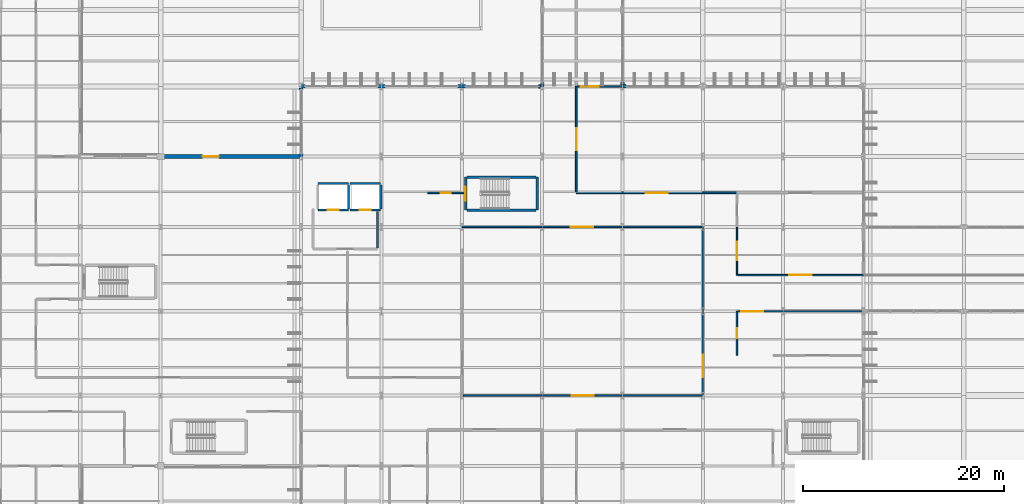
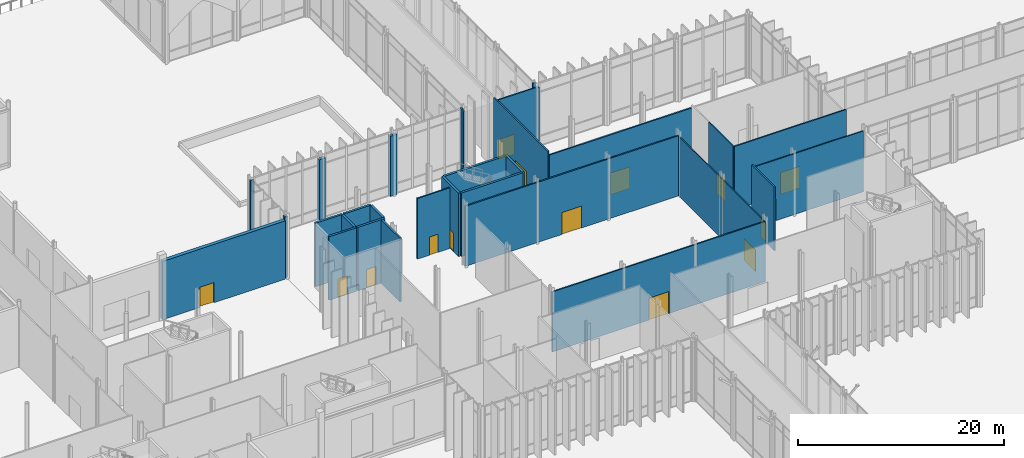
# One storey, part 140 of 176: 34 walls, 15 doors, 15 openings.
"""IFC4 building model written with IfcOpenShell, lengths in metres."""

from ifc_helpers import new_model, si_unit, direction, frame, frame_2d, origin, place, context, subcontext, project, spatial, rectangle, extrude, material, layer, layer_set, type_object, element, fill, save


model = new_model("IFC4")

# Units and contexts
model_context = context("Model", 3, precision=1e-05, world=origin(), true_north=direction((0.0, 1.0)))
body_context = subcontext(model_context, "Body", "Model", "MODEL_VIEW")
ifc_project = project(units=[si_unit("LENGTHUNIT", "METRE"), si_unit("AREAUNIT", "SQUARE_METRE"), si_unit("VOLUMEUNIT", "CUBIC_METRE"), si_unit("PLANEANGLEUNIT", "RADIAN"), si_unit("MASSUNIT", "GRAM", prefix="KILO")], contexts=[model_context])

# Site, building, storey
site_placement = place(None, origin())
site = spatial("IfcSite", under=ifc_project, at=site_placement, CompositionType="ELEMENT")
building_placement = place(site_placement, origin())
building = spatial("IfcBuilding", under=site, at=building_placement, Name="Vekula Escarpment Museum", CompositionType="ELEMENT")
storey_placement = place(building_placement, origin())
storey = spatial("IfcBuildingStorey", under=building, at=storey_placement, Name="L01", CompositionType="ELEMENT", Elevation=0.0)

# Walls
ifc_material_1 = material(Name="Inkisi arkosic sandstone masonry", Category="masonry")
ifc_layer_1 = layer(ifc_material_1, 0.35009765625)
ifc_layer_set_1 = layer_set([ifc_layer_1], Name="Inkisi arkosic sandstone masonry")
wall_type_1 = type_object("IfcWallType", Name="WL-ALM-350", PredefinedType="SOLIDWALL", material=ifc_layer_set_1)
wall_1_placement = place(storey_placement, frame((102.360107421875, 90.39990234375, 0.0), z_axis=(0.0, 0.0, 1.0), x_axis=(-1.0, 0.0, 0.0)))
element("IfcWall", 1, at=wall_1_placement, inside=storey, type_object=wall_type_1, Name="Facade Jamb Pier L01-0165B", PredefinedType="SOLIDWALL", context=body_context, shape_type="SweptSolid", body=[
    extrude(rectangle(XDim=0.360107421875, YDim=0.35009765625, at=frame_2d((0.18017578125, 0.0))), origin(), (0.0, 0.0, 1.0), 7.135009765625),
])
wall_2_placement = place(storey_placement, frame((102.0, 90.5791015625, 0.0), z_axis=(0.0, 0.0, 1.0), x_axis=(0.0, 1.0, 0.0)))
element("IfcWall", 2, at=wall_2_placement, inside=storey, type_object=wall_type_1, Name="Facade Jamb Pier L01-0166A", PredefinedType="SOLIDWALL", context=body_context, shape_type="SweptSolid", body=[
    extrude(rectangle(XDim=0.180908203125, YDim=0.35009765625, at=frame_2d((0.09033203125, 0.0))), origin(), (0.0, 0.0, 1.0), 7.5400390625),
])
wall_3_placement = place(storey_placement, frame((94.0, 90.760009765625, 0.0), z_axis=(0.0, 0.0, 1.0), x_axis=(0.0, -1.0, 0.0)))
element("IfcWall", 3, at=wall_3_placement, inside=storey, type_object=wall_type_1, Name="Facade Jamb Pier L01-0199B", PredefinedType="SOLIDWALL", context=body_context, shape_type="SweptSolid", body=[
    extrude(rectangle(XDim=0.360107421875, YDim=0.35009765625, at=frame_2d((0.18017578125, 0.0))), origin(), (0.0, 0.0, 1.0), 7.02490234375),
])
wall_4_placement = place(storey_placement, frame((93.821044921875, 90.39990234375, 0.0), z_axis=(0.0, 0.0, 1.0), x_axis=(-1.0, 0.0, 0.0)))
element("IfcWall", 4, at=wall_4_placement, inside=storey, type_object=wall_type_1, Name="Facade Jamb Pier L01-0200A", PredefinedType="SOLIDWALL", context=body_context, shape_type="SweptSolid", body=[
    extrude(rectangle(XDim=0.18115234375, YDim=0.35009765625, at=frame_2d((0.090576171875, 0.0))), origin(), (0.0, 0.0, 1.0), 7.5400390625),
])
for number, where, z_axis, x_axis, name in (
    (5, (86.360107421875, 90.39990234375, 0.0), (0.0, 0.0, 1.0), (-1.0, 0.0, 0.0), "Facade Jamb Pier L01-0201B"),
    (6, (86.0, 90.39990234375, 0.0), (0.0, 0.0, 1.0), (-1.0, 0.0, 0.0), "Facade Jamb Pier L01-0202A"),
    (7, (78.360107421875, 90.39990234375, 0.0), (0.0, 0.0, 1.0), (-1.0, 0.0, 0.0), "Facade Jamb Pier L01-0203B"),
    (8, (78.0, 90.39990234375, 0.0), (0.0, 0.0, 1.0), (-1.0, 0.0, 0.0), "Facade Jamb Pier L01-0204A"),
    (9, (70.360107421875, 90.39990234375, 0.0), (0.0, 0.0, 1.0), (-1.0, 0.0, 0.0), "Facade Jamb Pier L01-0205B"),
):
    element("IfcWall", number, at=place(storey_placement, frame(where, z_axis=z_axis, x_axis=x_axis)), inside=storey, type_object=wall_type_1, Name=name, PredefinedType="SOLIDWALL", context=body_context, shape_type="SweptSolid", body=[
        extrude(rectangle(XDim=0.360107421875, YDim=0.35009765625, at=frame_2d((0.18017578125, 0.0))), origin(), (0.0, 0.0, 1.0), 7.135009765625),
    ])
wall_5_placement = place(storey_placement, frame((70.0, 90.220947265625, 0.0), z_axis=(0.0, 0.0, 1.0), x_axis=(0.0, -1.0, 0.0)))
element("IfcWall", 10, at=wall_5_placement, inside=storey, type_object=wall_type_1, Name="Facade Jamb Pier L01-0206A", PredefinedType="SOLIDWALL", context=body_context, shape_type="SweptSolid", body=[
    extrude(rectangle(XDim=0.180908203125, YDim=0.35009765625, at=frame_2d((0.09033203125, 0.0))), origin(), (0.0, 0.0, 1.0), 7.5400390625),
])
wall_6_placement = place(storey_placement, frame((70.0, 83.760009765625, 0.0), z_axis=(0.0, 0.0, 1.0), x_axis=(0.0, -1.0, 0.0)))
element("IfcWall", 11, at=wall_6_placement, inside=storey, type_object=wall_type_1, Name="Facade Jamb Pier L01-0207B", PredefinedType="SOLIDWALL", context=body_context, shape_type="SweptSolid", body=[
    extrude(rectangle(XDim=0.360107421875, YDim=0.35009765625, at=frame_2d((0.18017578125, 0.0))), origin(), (0.0, 0.0, 1.0), 7.235107421875),
])

# Wall, opening, door
ifc_material_2 = material(Name="Inkisi arkosic sandstone masonry", Category="masonry")
ifc_layer_2 = layer(ifc_material_2, 0.3798828125)
ifc_layer_set_2 = layer_set([ifc_layer_2], Name="Inkisi arkosic sandstone masonry")
wall_type_2 = type_object("IfcWallType", Name="WL-ALM-380", PredefinedType="SOLIDWALL", material=ifc_layer_set_2)
wall_7_placement = place(storey_placement, frame((56.0, 83.39990234375, 0.0), z_axis=(0.0, 0.0, 1.0), x_axis=(1.0, 0.0, 0.0)))
wall_7 = element("IfcWall", 12, at=wall_7_placement, inside=storey, type_object=wall_type_2, Name="Exterior Wall WL-EXT-L01-0208", PredefinedType="SOLIDWALL", context=body_context, shape_type="SweptSolid", body=[
    extrude(rectangle(XDim=13.821044921875, YDim=0.3798828125, at=frame_2d((6.91064453125, 0.0))), origin(), (0.0, 0.0, 1.0), 6.925048828125),
])
opening_1_placement = place(wall_7_placement, frame((4.199951171875, 0.0, 0.0)))
opening_1 = element("IfcOpeningElement", 13, at=opening_1_placement, cuts=wall_7, Name="Opening D-CY06", PredefinedType="OPENING", context=body_context, shape_type="SweptSolid", body=[
    extrude(rectangle(XDim=1.60009765625, YDim=2.39990234375, at=frame_2d((0.800048828125, 1.199951171875))), frame((0.0, 0.199951171875, 0.0), z_axis=(0.0, -1.0, 0.0), x_axis=(1.0, 0.0, 0.0)), (0.0, 0.0, 1.0), 0.39990234375),
])
ifc_material_3 = material(Name="Thermally broken glazed terrace door", Category="steel")
door_type_1 = type_object("IfcDoorType", Name="DR-TER-1600x2400", OperationType="NOTDEFINED", PredefinedType="DOOR", material=ifc_material_3)
door_1_placement = place(opening_1_placement, origin())
door_1 = element("IfcDoor", 14, at=door_1_placement, inside=storey, type_object=door_type_1, Name="North Avlu West Courtyard Door D-CY06", OperationType="SINGLE_SWING_RIGHT", OverallHeight=2.39990234375, OverallWidth=1.60009765625, PredefinedType="DOOR", context=body_context, shape_type="SweptSolid", body=[
    extrude(rectangle(XDim=1.60009765625, YDim=2.39990234375, at=frame_2d((0.800048828125, 1.199951171875))), frame((0.0, 0.02490234375, 0.0), z_axis=(0.0, -1.0, 0.0), x_axis=(1.0, 0.0, 0.0)), (0.0, 0.0, 1.0), 0.050048828125),
])
fill(opening_1, door_1)

ifc_material_4 = material(Name="Concrete C35/45", Category="concrete")
ifc_layer_3 = layer(ifc_material_4, 0.25)
ifc_layer_set_3 = layer_set([ifc_layer_3], Name="Concrete C35/45")
wall_type_3 = type_object("IfcWallType", Name="WL-CORE-250", PredefinedType="SHEAR", material=ifc_layer_set_3)
wall_8_placement = place(storey_placement, frame((86.375, 78.074951171875, 0.0), z_axis=(0.0, 0.0, 1.0), x_axis=(0.0, 1.0, 0.0)))
wall_8 = element("IfcWall", 15, at=wall_8_placement, inside=storey, type_object=wall_type_3, Name="Stair Core Wall ST-09 L01 W", PredefinedType="SHEAR", context=body_context, shape_type="SweptSolid", body=[
    extrude(rectangle(XDim=3.2900390625, YDim=0.25, at=frame_2d((1.64501953125, 0.0))), origin(), (0.0, 0.0, 1.0), 7.5400390625),
])
opening_2_placement = place(wall_8_placement, frame((0.945068359375, 0.0, 0.0)))
opening_2 = element("IfcOpeningElement", 16, at=opening_2_placement, cuts=wall_8, Name="Opening DR-FD60", PredefinedType="OPENING", context=body_context, shape_type="SweptSolid", body=[
    extrude(rectangle(XDim=1.39990234375, YDim=2.199951171875, at=frame_2d((0.699951171875, 1.10009765625))), frame((0.0, 0.135009765625, 0.0), z_axis=(0.0, -1.0, 0.0), x_axis=(1.0, 0.0, 0.0)), (0.0, 0.0, 1.0), 0.27001953125),
])
ifc_material_5 = material(Name="Fire-rated steel stair door", Category="steel")
door_type_2 = type_object("IfcDoorType", Name="DR-STAIR-1400x2200", OperationType="NOTDEFINED", PredefinedType="DOOR", material=ifc_material_5)
door_2_placement = place(opening_2_placement, origin())
door_2 = element("IfcDoor", 17, at=door_2_placement, inside=storey, type_object=door_type_2, Name="Protected Exit Stair Door ST-09 L01", OperationType="SINGLE_SWING_LEFT", OverallHeight=2.199951171875, OverallWidth=1.39990234375, PredefinedType="DOOR", context=body_context, shape_type="SweptSolid", body=[
    extrude(rectangle(XDim=1.39990234375, YDim=2.199951171875, at=frame_2d((0.699951171875, 1.10009765625))), frame((0.0, 0.02490234375, 0.0), z_axis=(0.0, -1.0, 0.0), x_axis=(1.0, 0.0, 0.0)), (0.0, 0.0, 1.0), 0.050048828125),
])
fill(opening_2, door_2)

# Walls
wall_9_placement = place(storey_placement, frame((93.52490234375, 78.074951171875, 0.0), z_axis=(0.0, 0.0, 1.0), x_axis=(0.0, 1.0, 0.0)))
element("IfcWall", 18, at=wall_9_placement, inside=storey, type_object=wall_type_3, Name="Stair Core Wall ST-09 L01 E", PredefinedType="SHEAR", context=body_context, shape_type="SweptSolid", body=[
    extrude(rectangle(XDim=3.2900390625, YDim=0.25, at=frame_2d((1.64501953125, 0.0))), origin(), (0.0, 0.0, 1.0), 7.5400390625),
])
for number, where, z_axis, x_axis, name in (
    (19, (86.50390625, 78.074951171875, 0.0), (0.0, 0.0, 1.0), (1.0, 0.0, 0.0), "Stair Core Wall ST-09 L01 S"),
    (20, (86.50390625, 81.364990234375, 0.0), (0.0, 0.0, 1.0), (1.0, 0.0, 0.0), "Stair Core Wall ST-09 L01 N"),
):
    element("IfcWall", number, at=place(storey_placement, frame(where, z_axis=z_axis, x_axis=x_axis)), inside=storey, type_object=wall_type_3, Name=name, PredefinedType="SHEAR", context=body_context, shape_type="SweptSolid", body=[
        extrude(rectangle(XDim=6.89208984375, YDim=0.25, at=frame_2d((3.446044921875, 0.0))), origin(), (0.0, 0.0, 1.0), 7.5400390625),
    ])
ifc_material_6 = material(Name="Concrete C35/45", Category="concrete")
ifc_layer_4 = layer(ifc_material_6, 0.199951171875)
ifc_layer_set_4 = layer_set([ifc_layer_4], Name="Concrete C35/45")
wall_type_4 = type_object("IfcWallType", Name="WL-FFL-200", PredefinedType="PARTITIONING", material=ifc_layer_set_4)
wall_10_placement = place(storey_placement, frame((77.60009765625, 74.303955078125, 0.0), z_axis=(0.0, 0.0, 1.0), x_axis=(0.0, 1.0, 0.0)))
element("IfcWall", 21, at=wall_10_placement, inside=storey, type_object=wall_type_4, Name="Lift Lobby Wall LP-01 L01 E", PredefinedType="PARTITIONING", context=body_context, shape_type="SweptSolid", body=[
    extrude(rectangle(XDim=3.652099609375, YDim=0.199951171875, at=frame_2d((1.826171875, 0.0))), origin(), (0.0, 0.0, 1.0), 7.5400390625),
])

# Wall, opening, door
ifc_material_7 = material(Name="Lightweight studio partition", Category="gypsum")
ifc_layer_5 = layer(ifc_material_7, 0.1201171875)
ifc_layer_set_5 = layer_set([ifc_layer_5], Name="Lightweight studio partition")
wall_type_5 = type_object("IfcWallType", Name="WL-PART-120", PredefinedType="PARTITIONING", material=ifc_layer_set_5)
wall_11_placement = place(storey_placement, frame((110.0, 59.678955078125, 0.0), z_axis=(0.0, 0.0, 1.0), x_axis=(0.0, 1.0, 0.0)))
wall_11 = element("IfcWall", 22, at=wall_11_placement, inside=storey, type_object=wall_type_5, Name="Interior Partition WL-INT-L01-0033", PredefinedType="PARTITIONING", context=body_context, shape_type="SweptSolid", body=[
    extrude(rectangle(XDim=16.720947265625, YDim=0.1201171875, at=frame_2d((8.3603515625, 0.0))), origin(), (0.0, 0.0, 1.0), 7.0849609375),
])
opening_3_placement = place(wall_11_placement, frame((1.767578125, 0.0, 0.0)))
opening_3 = element("IfcOpeningElement", 23, at=opening_3_placement, cuts=wall_11, Name="Opening DR-GL22", PredefinedType="OPENING", context=body_context, shape_type="SweptSolid", body=[
    extrude(rectangle(XDim=2.199951171875, YDim=2.60009765625, at=frame_2d((1.10009765625, 1.300048828125))), frame((0.0, 0.070068359375, 0.0), z_axis=(0.0, -1.0, 0.0), x_axis=(1.0, 0.0, 0.0)), (0.0, 0.0, 1.0), 0.14013671875),
])
ifc_material_8 = material(Name="Double acoustic timber gallery door", Category="wood")
door_type_3 = type_object("IfcDoorType", Name="DR-GAL-2200x2600", OperationType="NOTDEFINED", PredefinedType="DOOR", material=ifc_material_8)
door_3_placement = place(opening_3_placement, origin())
door_3 = element("IfcDoor", 24, at=door_3_placement, inside=storey, type_object=door_type_3, Name="Interior Door L01-030", OperationType="SINGLE_SWING_LEFT", OverallHeight=2.60009765625, OverallWidth=2.199951171875, PredefinedType="DOOR", context=body_context, shape_type="SweptSolid", body=[
    extrude(rectangle(XDim=2.199951171875, YDim=2.60009765625, at=frame_2d((1.10009765625, 1.300048828125))), frame((0.0, 0.02490234375, 0.0), z_axis=(0.0, -1.0, 0.0), x_axis=(1.0, 0.0, 0.0)), (0.0, 0.0, 1.0), 0.050048828125),
])
fill(opening_3, door_3)

wall_12_placement = place(storey_placement, frame((113.39990234375, 71.60009765625, 0.0), z_axis=(0.0, 0.0, 1.0), x_axis=(0.0, 1.0, 0.0)))
wall_12 = element("IfcWall", 25, at=wall_12_placement, inside=storey, type_object=wall_type_5, Name="Interior Partition WL-INT-L01-0042", PredefinedType="PARTITIONING", context=body_context, shape_type="SweptSolid", body=[
    extrude(rectangle(XDim=4.7998046875, YDim=0.1201171875, at=frame_2d((2.39990234375, 0.0))), origin(), (0.0, 0.0, 1.0), 7.5400390625),
])
opening_4_placement = place(wall_12_placement, frame((1.5, 0.0, 0.0)))
opening_4 = element("IfcOpeningElement", 26, at=opening_4_placement, cuts=wall_12, Name="Opening DR-GL18", PredefinedType="OPENING", context=body_context, shape_type="SweptSolid", body=[
    extrude(rectangle(XDim=1.800048828125, YDim=2.39990234375, at=frame_2d((0.89990234375, 1.199951171875))), frame((0.0, 0.070068359375, 0.0), z_axis=(0.0, -1.0, 0.0), x_axis=(1.0, 0.0, 0.0)), (0.0, 0.0, 1.0), 0.14013671875),
])
ifc_material_9 = material(Name="Double glazed gallery portal door", Category="steel")
door_type_4 = type_object("IfcDoorType", Name="DR-GAL-1800x2400", OperationType="NOTDEFINED", PredefinedType="DOOR", material=ifc_material_9)
door_4_placement = place(opening_4_placement, origin())
door_4 = element("IfcDoor", 27, at=door_4_placement, inside=storey, type_object=door_type_4, Name="Interior Door L01-039", OperationType="SINGLE_SWING_RIGHT", OverallHeight=2.39990234375, OverallWidth=1.800048828125, PredefinedType="DOOR", context=body_context, shape_type="SweptSolid", body=[
    extrude(rectangle(XDim=1.800048828125, YDim=2.39990234375, at=frame_2d((0.89990234375, 1.199951171875))), frame((0.0, 0.02490234375, 0.0), z_axis=(0.0, -1.0, 0.0), x_axis=(1.0, 0.0, 0.0)), (0.0, 0.0, 1.0), 0.050048828125),
])
fill(opening_4, door_4)

wall_13_placement = place(storey_placement, frame((113.48388671875, 68.0, 0.0), z_axis=(0.0, 0.0, 1.0), x_axis=(1.0, 0.0, 0.0)))
wall_13 = element("IfcWall", 28, at=wall_13_placement, inside=storey, type_object=wall_type_5, Name="Interior Partition WL-INT-L01-0045", PredefinedType="PARTITIONING", context=body_context, shape_type="SweptSolid", body=[
    extrude(rectangle(XDim=12.362060546875, YDim=0.1201171875, at=frame_2d((6.18115234375, 0.0))), origin(), (0.0, 0.0, 1.0), 7.22509765625),
])
opening_5_placement = place(wall_13_placement, frame((0.35009765625, 0.0, 0.0)))
opening_5 = element("IfcOpeningElement", 29, at=opening_5_placement, cuts=wall_13, Name="Opening DR-GL22", PredefinedType="OPENING", context=body_context, shape_type="SweptSolid", body=[
    extrude(rectangle(XDim=2.199951171875, YDim=2.60009765625, at=frame_2d((1.10009765625, 1.300048828125))), frame((0.0, 0.070068359375, 0.0), z_axis=(0.0, -1.0, 0.0), x_axis=(1.0, 0.0, 0.0)), (0.0, 0.0, 1.0), 0.14013671875),
])
door_5_placement = place(opening_5_placement, origin())
door_5 = element("IfcDoor", 30, at=door_5_placement, inside=storey, type_object=door_type_3, Name="Interior Door L01-042", OperationType="SINGLE_SWING_LEFT", OverallHeight=2.60009765625, OverallWidth=2.199951171875, PredefinedType="DOOR", context=body_context, shape_type="SweptSolid", body=[
    extrude(rectangle(XDim=2.199951171875, YDim=2.60009765625, at=frame_2d((1.10009765625, 1.300048828125))), frame((0.0, 0.02490234375, 0.0), z_axis=(0.0, -1.0, 0.0), x_axis=(1.0, 0.0, 0.0)), (0.0, 0.0, 1.0), 0.050048828125),
])
fill(opening_5, door_5)

ifc_material_10 = material(Name="Gypsum board dry-lined partition", Category="gypsum")
ifc_layer_6 = layer(ifc_material_10, 0.14990234375)
ifc_layer_set_6 = layer_set([ifc_layer_6], Name="Gypsum board dry-lined partition")
wall_type_6 = type_object("IfcWallType", Name="WL-PART-150", PredefinedType="PARTITIONING", material=ifc_layer_set_6)
wall_14_placement = place(storey_placement, frame((86.083984375, 59.60009765625, 0.0), z_axis=(0.0, 0.0, 1.0), x_axis=(1.0, 0.0, 0.0)))
wall_14 = element("IfcWall", 31, at=wall_14_placement, inside=storey, type_object=wall_type_6, Name="Interior Partition WL-INT-L01-0032", PredefinedType="PARTITIONING", context=body_context, shape_type="SweptSolid", body=[
    extrude(rectangle(XDim=23.916015625, YDim=0.14990234375, at=frame_2d((11.9580078125, 0.0))), origin(), (0.0, 0.0, 1.0), 7.135009765625),
])
opening_6_placement = place(wall_14_placement, frame((10.85791015625, 0.0, 0.0)))
opening_6 = element("IfcOpeningElement", 32, at=opening_6_placement, cuts=wall_14, Name="Opening DR-GL22", PredefinedType="OPENING", context=body_context, shape_type="SweptSolid", body=[
    extrude(rectangle(XDim=2.199951171875, YDim=2.60009765625, at=frame_2d((1.10009765625, 1.300048828125))), frame((0.0, 0.0849609375, 0.0), z_axis=(0.0, -1.0, 0.0), x_axis=(1.0, 0.0, 0.0)), (0.0, 0.0, 1.0), 0.169921875),
])
door_6_placement = place(opening_6_placement, origin())
door_6 = element("IfcDoor", 33, at=door_6_placement, inside=storey, type_object=door_type_3, Name="Interior Door L01-029", OperationType="SINGLE_SWING_RIGHT", OverallHeight=2.60009765625, OverallWidth=2.199951171875, PredefinedType="DOOR", context=body_context, shape_type="SweptSolid", body=[
    extrude(rectangle(XDim=2.199951171875, YDim=2.60009765625, at=frame_2d((1.10009765625, 1.300048828125))), frame((0.0, 0.02490234375, 0.0), z_axis=(0.0, -1.0, 0.0), x_axis=(1.0, 0.0, 0.0)), (0.0, 0.0, 1.0), 0.050048828125),
])
fill(opening_6, door_6)

wall_15_placement = place(storey_placement, frame((113.464111328125, 71.60009765625, 0.0), z_axis=(0.0, 0.0, 1.0), x_axis=(1.0, 0.0, 0.0)))
wall_15 = element("IfcWall", 34, at=wall_15_placement, inside=storey, type_object=wall_type_6, Name="Interior Partition WL-INT-L01-0044", PredefinedType="PARTITIONING", context=body_context, shape_type="SweptSolid", body=[
    extrude(rectangle(XDim=12.535888671875, YDim=0.14990234375, at=frame_2d((6.26806640625, 0.0))), origin(), (0.0, 0.0, 1.0), 7.5400390625),
])
opening_7_placement = place(wall_15_placement, frame((5.16796875, 0.0, 0.0)))
opening_7 = element("IfcOpeningElement", 35, at=opening_7_placement, cuts=wall_15, Name="Opening DR-GL22", PredefinedType="OPENING", context=body_context, shape_type="SweptSolid", body=[
    extrude(rectangle(XDim=2.199951171875, YDim=2.60009765625, at=frame_2d((1.10009765625, 1.300048828125))), frame((0.0, 0.0849609375, 0.0), z_axis=(0.0, -1.0, 0.0), x_axis=(1.0, 0.0, 0.0)), (0.0, 0.0, 1.0), 0.169921875),
])
door_7_placement = place(opening_7_placement, origin())
door_7 = element("IfcDoor", 36, at=door_7_placement, inside=storey, type_object=door_type_3, Name="Interior Door L01-041", OperationType="SINGLE_SWING_RIGHT", OverallHeight=2.60009765625, OverallWidth=2.199951171875, PredefinedType="DOOR", context=body_context, shape_type="SweptSolid", body=[
    extrude(rectangle(XDim=2.199951171875, YDim=2.60009765625, at=frame_2d((1.10009765625, 1.300048828125))), frame((0.0, 0.02490234375, 0.0), z_axis=(0.0, -1.0, 0.0), x_axis=(1.0, 0.0, 0.0)), (0.0, 0.0, 1.0), 0.050048828125),
])
fill(opening_7, door_7)

wall_16_placement = place(storey_placement, frame((82.60009765625, 79.800048828125, 0.0), z_axis=(0.0, 0.0, 1.0), x_axis=(1.0, 0.0, 0.0)))
wall_16 = element("IfcWall", 37, at=wall_16_placement, inside=storey, type_object=wall_type_6, Name="Interior Partition WL-INT-L01-0047", PredefinedType="PARTITIONING", context=body_context, shape_type="SweptSolid", body=[
    extrude(rectangle(XDim=3.64599609375, YDim=0.14990234375, at=frame_2d((1.822998046875, 0.0))), origin(), (0.0, 0.0, 1.0), 7.195068359375),
])
opening_8_placement = place(wall_16_placement, frame((1.322998046875, 0.0, 0.0)))
opening_8 = element("IfcOpeningElement", 38, at=opening_8_placement, cuts=wall_16, Name="Opening DR-OF10", PredefinedType="OPENING", context=body_context, shape_type="SweptSolid", body=[
    extrude(rectangle(XDim=1.0, YDim=2.14990234375, at=frame_2d((0.5, 1.074951171875))), frame((0.0, 0.0849609375, 0.0), z_axis=(0.0, -1.0, 0.0), x_axis=(1.0, 0.0, 0.0)), (0.0, 0.0, 1.0), 0.169921875),
])
ifc_material_11 = material(Name="Solid core timber study door", Category="wood")
door_type_5 = type_object("IfcDoorType", Name="DR-OFF-1000x2150", OperationType="NOTDEFINED", PredefinedType="DOOR", material=ifc_material_11)
door_8_placement = place(opening_8_placement, origin())
door_8 = element("IfcDoor", 39, at=door_8_placement, inside=storey, type_object=door_type_5, Name="Interior Door L01-044", OperationType="SINGLE_SWING_LEFT", OverallHeight=2.14990234375, OverallWidth=1.0, PredefinedType="DOOR", context=body_context, shape_type="SweptSolid", body=[
    extrude(rectangle(XDim=1.0, YDim=2.14990234375, at=frame_2d((0.5, 1.074951171875))), frame((0.0, 0.02490234375, 0.0), z_axis=(0.0, -1.0, 0.0), x_axis=(1.0, 0.0, 0.0)), (0.0, 0.0, 1.0), 0.050048828125),
])
fill(opening_8, door_8)

wall_17_placement = place(storey_placement, frame((97.48388671875, 90.39990234375, 0.0), z_axis=(0.0, 0.0, 1.0), x_axis=(1.0, 0.0, 0.0)))
wall_17 = element("IfcWall", 40, at=wall_17_placement, inside=storey, type_object=wall_type_6, Name="Interior Partition WL-INT-L01-0056", PredefinedType="PARTITIONING", context=body_context, shape_type="SweptSolid", body=[
    extrude(rectangle(XDim=4.51611328125, YDim=0.14990234375, at=frame_2d((2.258056640625, 0.0))), origin(), (0.0, 0.0, 1.0), 7.135009765625),
])
opening_9_placement = place(wall_17_placement, frame((0.35009765625, 0.0, 0.0)))
opening_9 = element("IfcOpeningElement", 41, at=opening_9_placement, cuts=wall_17, Name="Opening DR-GL18", PredefinedType="OPENING", context=body_context, shape_type="SweptSolid", body=[
    extrude(rectangle(XDim=1.800048828125, YDim=2.39990234375, at=frame_2d((0.89990234375, 1.199951171875))), frame((0.0, 0.0849609375, 0.0), z_axis=(0.0, -1.0, 0.0), x_axis=(1.0, 0.0, 0.0)), (0.0, 0.0, 1.0), 0.169921875),
])
door_9_placement = place(opening_9_placement, origin())
door_9 = element("IfcDoor", 42, at=door_9_placement, inside=storey, type_object=door_type_4, Name="Interior Door L01-053", OperationType="SINGLE_SWING_RIGHT", OverallHeight=2.39990234375, OverallWidth=1.800048828125, PredefinedType="DOOR", context=body_context, shape_type="SweptSolid", body=[
    extrude(rectangle(XDim=1.800048828125, YDim=2.39990234375, at=frame_2d((0.89990234375, 1.199951171875))), frame((0.0, 0.02490234375, 0.0), z_axis=(0.0, -1.0, 0.0), x_axis=(1.0, 0.0, 0.0)), (0.0, 0.0, 1.0), 0.050048828125),
])
fill(opening_9, door_9)

ifc_material_12 = material(Name="Gypsum board gallery partition", Category="gypsum")
ifc_layer_7 = layer(ifc_material_12, 0.159912109375)
ifc_layer_set_7 = layer_set([ifc_layer_7], Name="Gypsum board gallery partition")
wall_type_7 = type_object("IfcWallType", Name="WL-PART-160", PredefinedType="PARTITIONING", material=ifc_layer_set_7)
wall_18_placement = place(storey_placement, frame((86.0, 76.39990234375, 0.0), z_axis=(0.0, 0.0, 1.0), x_axis=(1.0, 0.0, 0.0)))
wall_18 = element("IfcWall", 43, at=wall_18_placement, inside=storey, type_object=wall_type_7, Name="Interior Partition WL-INT-L01-0034", PredefinedType="PARTITIONING", context=body_context, shape_type="SweptSolid", body=[
    extrude(rectangle(XDim=23.93603515625, YDim=0.159912109375, at=frame_2d((11.968017578125, 0.0))), origin(), (0.0, 0.0, 1.0), 7.135009765625),
])
opening_10_placement = place(wall_18_placement, frame((10.867919921875, 0.0, 0.0)))
opening_10 = element("IfcOpeningElement", 44, at=opening_10_placement, cuts=wall_18, Name="Opening DR-GL22", PredefinedType="OPENING", context=body_context, shape_type="SweptSolid", body=[
    extrude(rectangle(XDim=2.199951171875, YDim=2.60009765625, at=frame_2d((1.10009765625, 1.300048828125))), frame((0.0, 0.08984375, 0.0), z_axis=(0.0, -1.0, 0.0), x_axis=(1.0, 0.0, 0.0)), (0.0, 0.0, 1.0), 0.179931640625),
])
door_10_placement = place(opening_10_placement, origin())
door_10 = element("IfcDoor", 45, at=door_10_placement, inside=storey, type_object=door_type_3, Name="Interior Door L01-031", OperationType="SINGLE_SWING_RIGHT", OverallHeight=2.60009765625, OverallWidth=2.199951171875, PredefinedType="DOOR", context=body_context, shape_type="SweptSolid", body=[
    extrude(rectangle(XDim=2.199951171875, YDim=2.60009765625, at=frame_2d((1.10009765625, 1.300048828125))), frame((0.0, 0.02490234375, 0.0), z_axis=(0.0, -1.0, 0.0), x_axis=(1.0, 0.0, 0.0)), (0.0, 0.0, 1.0), 0.050048828125),
])
fill(opening_10, door_10)

wall_19_placement = place(storey_placement, frame((113.39990234375, 63.60009765625, 0.0), z_axis=(0.0, 0.0, 1.0), x_axis=(0.0, 1.0, 0.0)))
wall_19 = element("IfcWall", 46, at=wall_19_placement, inside=storey, type_object=wall_type_7, Name="Interior Partition WL-INT-L01-0043", PredefinedType="PARTITIONING", context=body_context, shape_type="SweptSolid", body=[
    extrude(rectangle(XDim=4.39990234375, YDim=0.159912109375, at=frame_2d((2.199951171875, 0.0))), origin(), (0.0, 0.0, 1.0), 7.5400390625),
])
opening_11_placement = place(wall_19_placement, frame((1.699951171875, 0.0, 0.0)))
opening_11 = element("IfcOpeningElement", 47, at=opening_11_placement, cuts=wall_19, Name="Opening DR-OF10", PredefinedType="OPENING", context=body_context, shape_type="SweptSolid", body=[
    extrude(rectangle(XDim=1.0, YDim=2.14990234375, at=frame_2d((0.5, 1.074951171875))), frame((0.0, 0.08984375, 0.0), z_axis=(0.0, -1.0, 0.0), x_axis=(1.0, 0.0, 0.0)), (0.0, 0.0, 1.0), 0.179931640625),
])
door_11_placement = place(opening_11_placement, origin())
door_11 = element("IfcDoor", 48, at=door_11_placement, inside=storey, type_object=door_type_5, Name="Interior Door L01-040", OperationType="SINGLE_SWING_LEFT", OverallHeight=2.14990234375, OverallWidth=1.0, PredefinedType="DOOR", context=body_context, shape_type="SweptSolid", body=[
    extrude(rectangle(XDim=1.0, YDim=2.14990234375, at=frame_2d((0.5, 1.074951171875))), frame((0.0, 0.02490234375, 0.0), z_axis=(0.0, -1.0, 0.0), x_axis=(1.0, 0.0, 0.0)), (0.0, 0.0, 1.0), 0.050048828125),
])
fill(opening_11, door_11)

wall_20_placement = place(storey_placement, frame((97.39990234375, 79.800048828125, 0.0), z_axis=(0.0, 0.0, 1.0), x_axis=(1.0, 0.0, 0.0)))
wall_20 = element("IfcWall", 49, at=wall_20_placement, inside=storey, type_object=wall_type_7, Name="Interior Partition WL-INT-L01-0046", PredefinedType="PARTITIONING", context=body_context, shape_type="SweptSolid", body=[
    extrude(rectangle(XDim=16.0, YDim=0.159912109375, at=frame_2d((8.0, 0.0))), origin(), (0.0, 0.0, 1.0), 7.1650390625),
])
opening_12_placement = place(wall_20_placement, frame((6.89990234375, 0.0, 0.0)))
opening_12 = element("IfcOpeningElement", 50, at=opening_12_placement, cuts=wall_20, Name="Opening DR-GL22", PredefinedType="OPENING", context=body_context, shape_type="SweptSolid", body=[
    extrude(rectangle(XDim=2.199951171875, YDim=2.60009765625, at=frame_2d((1.10009765625, 1.300048828125))), frame((0.0, 0.08984375, 0.0), z_axis=(0.0, -1.0, 0.0), x_axis=(1.0, 0.0, 0.0)), (0.0, 0.0, 1.0), 0.179931640625),
])
door_12_placement = place(opening_12_placement, origin())
door_12 = element("IfcDoor", 51, at=door_12_placement, inside=storey, type_object=door_type_3, Name="Interior Door L01-043", OperationType="SINGLE_SWING_RIGHT", OverallHeight=2.60009765625, OverallWidth=2.199951171875, PredefinedType="DOOR", context=body_context, shape_type="SweptSolid", body=[
    extrude(rectangle(XDim=2.199951171875, YDim=2.60009765625, at=frame_2d((1.10009765625, 1.300048828125))), frame((0.0, 0.02490234375, 0.0), z_axis=(0.0, -1.0, 0.0), x_axis=(1.0, 0.0, 0.0)), (0.0, 0.0, 1.0), 0.050048828125),
])
fill(opening_12, door_12)

wall_21_placement = place(storey_placement, frame((97.39990234375, 79.884033203125, 0.0), z_axis=(0.0, 0.0, 1.0), x_axis=(0.0, 1.0, 0.0)))
wall_21 = element("IfcWall", 52, at=wall_21_placement, inside=storey, type_object=wall_type_7, Name="Interior Partition WL-INT-L01-0049", PredefinedType="PARTITIONING", context=body_context, shape_type="SweptSolid", body=[
    extrude(rectangle(XDim=10.515869140625, YDim=0.159912109375, at=frame_2d((5.2578125, 0.0))), origin(), (0.0, 0.0, 1.0), 7.5400390625),
])
opening_13_placement = place(wall_21_placement, frame((4.157958984375, 0.0, 0.0)))
opening_13 = element("IfcOpeningElement", 53, at=opening_13_placement, cuts=wall_21, Name="Opening DR-GL22", PredefinedType="OPENING", context=body_context, shape_type="SweptSolid", body=[
    extrude(rectangle(XDim=2.199951171875, YDim=2.60009765625, at=frame_2d((1.10009765625, 1.300048828125))), frame((0.0, 0.08984375, 0.0), z_axis=(0.0, -1.0, 0.0), x_axis=(1.0, 0.0, 0.0)), (0.0, 0.0, 1.0), 0.179931640625),
])
door_13_placement = place(opening_13_placement, origin())
door_13 = element("IfcDoor", 54, at=door_13_placement, inside=storey, type_object=door_type_3, Name="Interior Door L01-046", OperationType="SINGLE_SWING_LEFT", OverallHeight=2.60009765625, OverallWidth=2.199951171875, PredefinedType="DOOR", context=body_context, shape_type="SweptSolid", body=[
    extrude(rectangle(XDim=2.199951171875, YDim=2.60009765625, at=frame_2d((1.10009765625, 1.300048828125))), frame((0.0, 0.02490234375, 0.0), z_axis=(0.0, -1.0, 0.0), x_axis=(1.0, 0.0, 0.0)), (0.0, 0.0, 1.0), 0.050048828125),
])
fill(opening_13, door_13)

ifc_material_13 = material(Name="Concrete C35/45", Category="concrete")
ifc_layer_8 = layer(ifc_material_13, 0.239990234375)
ifc_layer_set_8 = layer_set([ifc_layer_8], Name="Concrete C35/45")
wall_type_8 = type_object("IfcWallType", Name="WL-SHF-240", PredefinedType="SHEAR", material=ifc_layer_set_8)
wall_22_placement = place(storey_placement, frame((71.679931640625, 78.080078125, 0.0), z_axis=(0.0, 0.0, 1.0), x_axis=(1.0, 0.0, 0.0)))
wall_22 = element("IfcWall", 55, at=wall_22_placement, inside=storey, type_object=wall_type_8, Name="Lift Shaft Wall LP-01 L01 S", PredefinedType="SHEAR", context=body_context, shape_type="SweptSolid", body=[
    extrude(rectangle(XDim=3.0400390625, YDim=0.239990234375, at=frame_2d((1.52001953125, 0.0))), origin(), (0.0, 0.0, 1.0), 7.5400390625),
])
opening_14_placement = place(wall_22_placement, frame((0.969970703125, 0.0, 0.0)))
opening_14 = element("IfcOpeningElement", 56, at=opening_14_placement, cuts=wall_22, Name="Opening LD-PAX", PredefinedType="OPENING", context=body_context, shape_type="SweptSolid", body=[
    extrude(rectangle(XDim=1.10009765625, YDim=2.199951171875, at=frame_2d((0.550048828125, 1.10009765625))), frame((0.0, 0.1298828125, 0.0), z_axis=(0.0, -1.0, 0.0), x_axis=(1.0, 0.0, 0.0)), (0.0, 0.0, 1.0), 0.260009765625),
])
ifc_material_14 = material(Name="Brushed stainless steel sliding lift landing door", Category="steel")
door_type_6 = type_object("IfcDoorType", Name="DR-LD-PAX-1100", OperationType="DOUBLE_DOOR_SLIDING", PredefinedType="DOOR", material=ifc_material_14)
door_14_placement = place(opening_14_placement, origin())
door_14 = element("IfcDoor", 57, at=door_14_placement, inside=storey, type_object=door_type_6, Name="Sliding Lift Landing Door LP-01 L01", OperationType="DOUBLE_DOOR_SLIDING", OverallHeight=2.199951171875, OverallWidth=1.10009765625, PredefinedType="DOOR", context=body_context, shape_type="SweptSolid", body=[
    extrude(rectangle(XDim=1.10009765625, YDim=2.199951171875, at=frame_2d((0.550048828125, 1.10009765625))), frame((0.0, 0.02490234375, 0.0), z_axis=(0.0, -1.0, 0.0), x_axis=(1.0, 0.0, 0.0)), (0.0, 0.0, 1.0), 0.050048828125),
])
fill(opening_14, door_14)

# Walls
wall_23_placement = place(storey_placement, frame((71.679931640625, 80.719970703125, 0.0), z_axis=(0.0, 0.0, 1.0), x_axis=(1.0, 0.0, 0.0)))
element("IfcWall", 58, at=wall_23_placement, inside=storey, type_object=wall_type_8, Name="Lift Shaft Wall LP-01 L01 N", PredefinedType="SHEAR", context=body_context, shape_type="SweptSolid", body=[
    extrude(rectangle(XDim=3.0400390625, YDim=0.239990234375, at=frame_2d((1.52001953125, 0.0))), origin(), (0.0, 0.0, 1.0), 7.5400390625),
])
wall_24_placement = place(storey_placement, frame((74.719970703125, 78.2041015625, 0.0), z_axis=(0.0, 0.0, 1.0), x_axis=(0.0, 1.0, 0.0)))
element("IfcWall", 59, at=wall_24_placement, inside=storey, type_object=wall_type_8, Name="Lift Shaft Wall LP-01 L01 E", PredefinedType="SHEAR", context=body_context, shape_type="SweptSolid", body=[
    extrude(rectangle(XDim=2.391845703125, YDim=0.239990234375, at=frame_2d((1.19580078125, 0.0))), origin(), (0.0, 0.0, 1.0), 7.5400390625),
])

# Wall, opening, door
wall_25_placement = place(storey_placement, frame((74.8798828125, 78.080078125, 0.0), z_axis=(0.0, 0.0, 1.0), x_axis=(1.0, 0.0, 0.0)))
wall_25 = element("IfcWall", 60, at=wall_25_placement, inside=storey, type_object=wall_type_8, Name="Lift Shaft Wall LP-02 L01 S", PredefinedType="SHEAR", context=body_context, shape_type="SweptSolid", body=[
    extrude(rectangle(XDim=3.0400390625, YDim=0.239990234375, at=frame_2d((1.52001953125, 0.0))), origin(), (0.0, 0.0, 1.0), 7.5400390625),
])
opening_15_placement = place(wall_25_placement, frame((0.969970703125, 0.0, 0.0)))
opening_15 = element("IfcOpeningElement", 61, at=opening_15_placement, cuts=wall_25, Name="Opening LD-PAX", PredefinedType="OPENING", context=body_context, shape_type="SweptSolid", body=[
    extrude(rectangle(XDim=1.10009765625, YDim=2.199951171875, at=frame_2d((0.550048828125, 1.10009765625))), frame((0.0, 0.1298828125, 0.0), z_axis=(0.0, -1.0, 0.0), x_axis=(1.0, 0.0, 0.0)), (0.0, 0.0, 1.0), 0.260009765625),
])
door_15_placement = place(opening_15_placement, origin())
door_15 = element("IfcDoor", 62, at=door_15_placement, inside=storey, type_object=door_type_6, Name="Sliding Lift Landing Door LP-02 L01", OperationType="DOUBLE_DOOR_SLIDING", OverallHeight=2.199951171875, OverallWidth=1.10009765625, PredefinedType="DOOR", context=body_context, shape_type="SweptSolid", body=[
    extrude(rectangle(XDim=1.10009765625, YDim=2.199951171875, at=frame_2d((0.550048828125, 1.10009765625))), frame((0.0, 0.02490234375, 0.0), z_axis=(0.0, -1.0, 0.0), x_axis=(1.0, 0.0, 0.0)), (0.0, 0.0, 1.0), 0.050048828125),
])
fill(opening_15, door_15)

# Walls
wall_26_placement = place(storey_placement, frame((74.8798828125, 80.719970703125, 0.0), z_axis=(0.0, 0.0, 1.0), x_axis=(1.0, 0.0, 0.0)))
element("IfcWall", 63, at=wall_26_placement, inside=storey, type_object=wall_type_8, Name="Lift Shaft Wall LP-02 L01 N", PredefinedType="SHEAR", context=body_context, shape_type="SweptSolid", body=[
    extrude(rectangle(XDim=3.0400390625, YDim=0.239990234375, at=frame_2d((1.52001953125, 0.0))), origin(), (0.0, 0.0, 1.0), 7.5400390625),
])
wall_27_placement = place(storey_placement, frame((77.919921875, 78.2041015625, 0.0), z_axis=(0.0, 0.0, 1.0), x_axis=(0.0, 1.0, 0.0)))
element("IfcWall", 64, at=wall_27_placement, inside=storey, type_object=wall_type_8, Name="Lift Shaft Wall LP-02 L01 E", PredefinedType="SHEAR", context=body_context, shape_type="SweptSolid", body=[
    extrude(rectangle(XDim=2.391845703125, YDim=0.239990234375, at=frame_2d((1.19580078125, 0.0))), origin(), (0.0, 0.0, 1.0), 7.5400390625),
])

save(model, "model.ifc")
